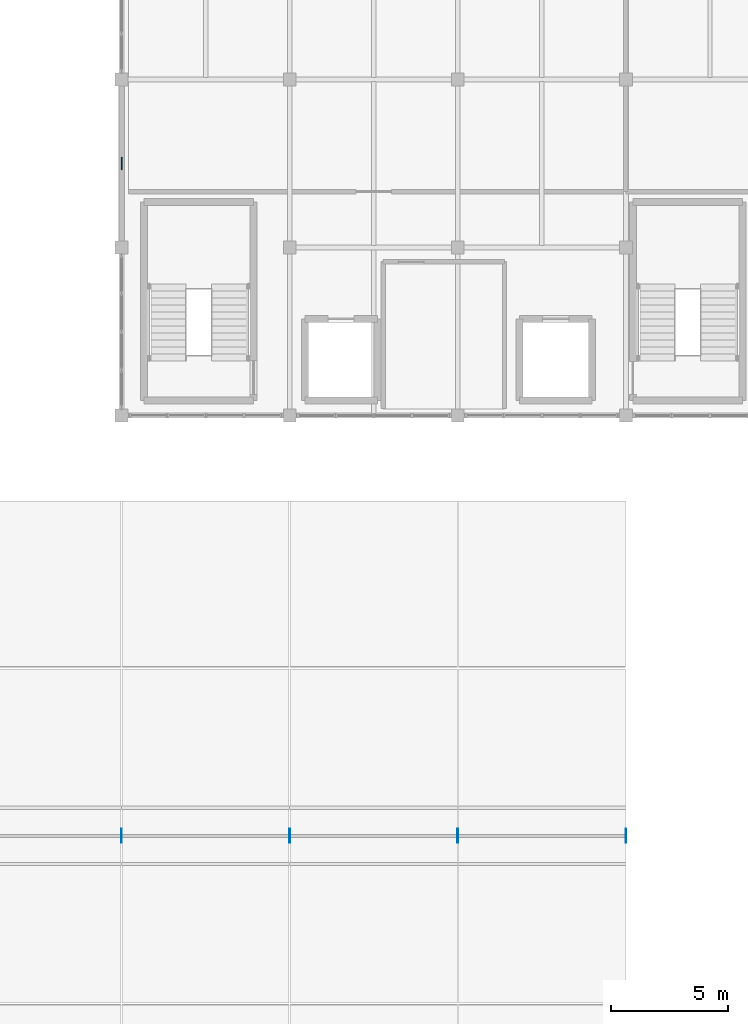
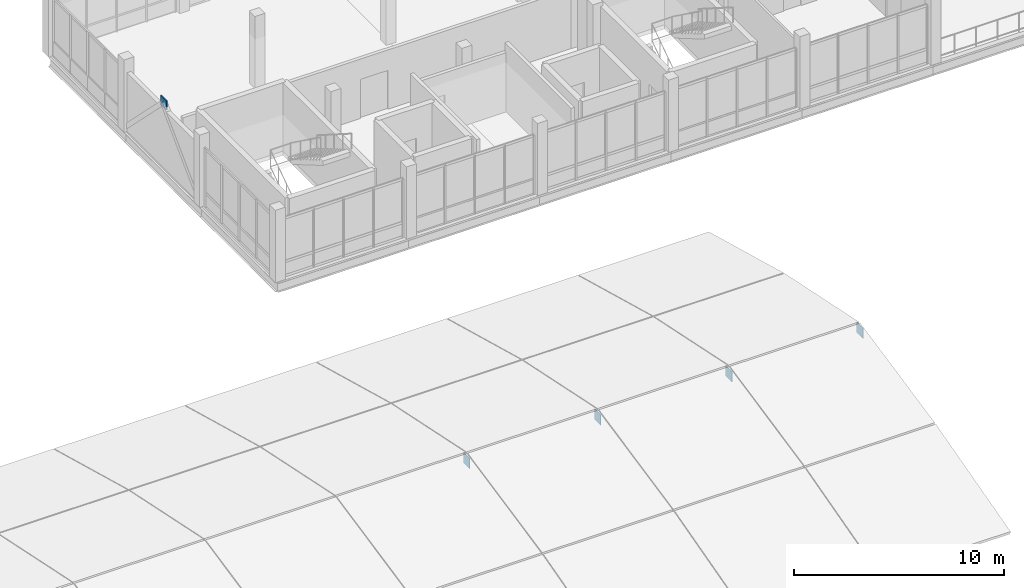
# One storey, part 36 of 47: 5 plates.
"""IFC4 building model written with IfcOpenShell, lengths in metres."""

import ifcopenshell
import ifcopenshell.guid

model = None  # the IFC model being written
_history = None  # IfcOwnerHistory: only IFC2X3 demands one
_inside = {}  # id of a spatial element -> (the spatial element, [elements in it])
_under = {}  # id of a project, library or spatial element -> (it, [spatial elements below it])
_declared = {}  # id of a project -> (the project, [libraries it declares])
_typed = {}  # id of a type object -> (the type object, [elements of that type])
_made_of = {}  # id of a material, layer set ... -> (it, [elements and type objects made of it])


def new_model(schema):
    """Start an empty IFC model of exactly this schema.

    Asked for "IFC4X3", IfcOpenShell would pick the latest addendum, in which some entities
    have other attributes; the version numbers below select the first issue.
    IFC2X3 requires an IfcOwnerHistory on every rooted entity: one is made here for all.
    """
    global model, _history
    if schema == "IFC4X3":
        model = ifcopenshell.file(schema_version=(4, 3, 0, 0))
    else:
        model = ifcopenshell.file(schema=schema)
    _inside.clear()
    _under.clear()
    _declared.clear()
    _typed.clear()
    _made_of.clear()
    _history = None
    if model.schema == "IFC2X3":
        org = make("IfcOrganization", Name="unknown")
        user = make(
            "IfcPersonAndOrganization",
            ThePerson=make("IfcPerson", FamilyName="unknown"),
            TheOrganization=org,
        )
        app = make(
            "IfcApplication",
            ApplicationDeveloper=org,
            Version="unknown",
            ApplicationFullName="unknown",
            ApplicationIdentifier="unknown",
        )
        _history = make(
            "IfcOwnerHistory",
            OwningUser=user,
            OwningApplication=app,
            ChangeAction="ADDED",
            CreationDate=0,
        )
    return model


def make(cls, **values):
    """One entity of the class cls with the attributes given. An attribute that is None is left unset."""
    return model.create_entity(
        cls, **{name: value for name, value in values.items() if value is not None}
    )


def rooted(cls, **values):
    """An entity with a GlobalId (a new one), such as an element, a storey or a relation."""
    return make(cls, GlobalId=ifcopenshell.guid.new(), OwnerHistory=_history, **values)


def si_unit(unit_type, name, prefix=None):
    """IfcSIUnit, for example si_unit("LENGTHUNIT", "METRE", prefix="MILLI")."""
    return make("IfcSIUnit", UnitType=unit_type, Prefix=prefix, Name=name)


def assignment(units):
    """IfcUnitAssignment: the units of a project."""
    return None if units is None else make("IfcUnitAssignment", Units=units)


def point(xyz):
    """IfcCartesianPoint."""
    return None if xyz is None else make("IfcCartesianPoint", Coordinates=xyz)


def direction(xyz):
    """IfcDirection."""
    return None if xyz is None else make("IfcDirection", DirectionRatios=xyz)


def frame(location, z_axis=None, x_axis=None):
    """IfcAxis2Placement3D, a coordinate frame: its origin and axes. An axis left out is left unset."""
    return make(
        "IfcAxis2Placement3D",
        Location=point(location),
        Axis=direction(z_axis),
        RefDirection=direction(x_axis),
    )


def frame_2d(location, x_axis=None):
    """IfcAxis2Placement2D, a coordinate frame in the plane: its origin and x axis."""
    return make(
        "IfcAxis2Placement2D", Location=point(location), RefDirection=direction(x_axis)
    )


def origin():
    """The frame at (0, 0, 0) with its axes left unset."""
    return frame((0.0, 0.0, 0.0))


def origin_2d():
    """The frame at (0, 0) in the plane with its x axis left unset."""
    return frame_2d((0.0, 0.0))


def place(relative_to, where):
    """IfcLocalPlacement: puts the frame where relative to a parent placement (None: the world)."""
    return make(
        "IfcLocalPlacement", PlacementRelTo=relative_to, RelativePlacement=where
    )


def context(
    kind, dimensions, precision=None, world=None, true_north=None, identifier=None
):
    """IfcGeometricRepresentationContext, for example the 3D "Model" context."""
    return make(
        "IfcGeometricRepresentationContext",
        ContextIdentifier=identifier,
        ContextType=kind,
        CoordinateSpaceDimension=dimensions,
        Precision=precision,
        WorldCoordinateSystem=world,
        TrueNorth=true_north,
    )


def subcontext(parent, identifier, kind, view, scale=None):
    """IfcGeometricRepresentationSubContext, for example "Body" below "Model"."""
    return make(
        "IfcGeometricRepresentationSubContext",
        ContextIdentifier=identifier,
        ContextType=kind,
        ParentContext=parent,
        TargetScale=scale,
        TargetView=view,
    )


def project(units=None, contexts=None):
    """IfcProject with its units and contexts."""
    return rooted(
        "IfcProject",
        Name="project",
        RepresentationContexts=contexts,
        UnitsInContext=assignment(units),
    )


def spatial(cls, under=None, at=None, **own):
    """A site, building, storey or space (cls), placed at a placement, below another one or the project."""
    s = rooted(cls, ObjectPlacement=at, **own)
    if under is not None:
        _under.setdefault(under.id(), (under, []))[1].append(s)
    return s


def profile(cls, at=None, kind="AREA", **sizes):
    """A parametric profile (cls). Its sizes go by their IFC names, for example OverallWidth=200.0."""
    return make(cls, ProfileType=kind, Position=at, **sizes)


def rectangle(**sizes):
    """IfcRectangleProfileDef."""
    return profile("IfcRectangleProfileDef", **sizes)


def extrude(swept, where, along, depth):
    """IfcExtrudedAreaSolid: the profile swept, set in the frame where, extruded along a direction by depth."""
    return make(
        "IfcExtrudedAreaSolid",
        SweptArea=swept,
        Position=where,
        ExtrudedDirection=direction(along),
        Depth=depth,
    )


def shape(context_of_items, identifier, shape_type, items):
    """IfcShapeRepresentation: the items that make up one representation, for example the "Body"."""
    return make(
        "IfcShapeRepresentation",
        ContextOfItems=context_of_items,
        RepresentationIdentifier=identifier,
        RepresentationType=shape_type,
        Items=items,
    )


def material(Name=None, Category=None):
    """IfcMaterial."""
    return make("IfcMaterial", Name=Name, Category=Category)


def layer(
    of_material, thickness, ventilated=None, Name=None, Category=None, Priority=None
):
    """IfcMaterialLayer: one layer of a wall or slab, of a material (None: an air gap)."""
    return make(
        "IfcMaterialLayer",
        Material=of_material,
        LayerThickness=thickness,
        IsVentilated=ventilated,
        Name=Name,
        Category=Category,
        Priority=Priority,
    )


def layer_set(layers, Name=None):
    """IfcMaterialLayerSet."""
    return make("IfcMaterialLayerSet", MaterialLayers=layers, LayerSetName=Name)


def made_of(thing, what):
    """Note that an element or type object is made of a material, layer set ...; save() writes the relation."""
    if what is not None:
        _made_of.setdefault(what.id(), (what, []))[1].append(thing)
    return thing


def type_object(cls, material=None, **own):
    """A type object (cls), such as IfcWallType, which elements share."""
    return made_of(rooted(cls, **own), material)


def element(
    cls,
    number,
    at=None,
    inside=None,
    cuts=None,
    type_object=None,
    material=None,
    context=None,
    identifier="Body",
    shape_type=None,
    held_by="IfcProductDefinitionShape",
    body=None,
    shapes=None,
    **own,
):
    """One element of the class cls, such as IfcWall. Its Tag is "e" and its number.

    at: its placement. inside: the storey or other place that contains it. cuts: it is an
    opening in that element (IfcRelVoidsElement). A single representation is given by context,
    identifier, shape_type and body (its items); several are given by shapes. held_by: the class
    of the entity that holds the representations. save() writes the other relations.
    """
    e = rooted(cls, Tag="e%d" % number, ObjectPlacement=at, **own)
    if body is not None:
        shapes = [shape(context, identifier, shape_type, body)]
    if shapes is not None:
        e.Representation = make(held_by, Representations=shapes)
    if inside is not None:
        _inside.setdefault(inside.id(), (inside, []))[1].append(e)
    if cuts is not None:
        rooted(
            "IfcRelVoidsElement", RelatingBuildingElement=cuts, RelatedOpeningElement=e
        )
    if type_object is not None:
        _typed.setdefault(type_object.id(), (type_object, []))[1].append(e)
    return made_of(e, material)


def aggregate(whole, parts):
    """IfcRelAggregates: a whole, such as a stair, and the parts it consists of."""
    return rooted("IfcRelAggregates", RelatingObject=whole, RelatedObjects=parts)


def save(model, path):
    """Write the relations noted so far, then the file.

    IfcRelAggregates (storeys below a building ...), IfcRelContainedInSpatialStructure (elements
    in a storey), IfcRelDefinesByType, IfcRelAssociatesMaterial and IfcRelDeclares: one each for
    every whole, place, type object, material and project.
    """
    for whole, parts in _under.values():
        aggregate(whole, parts)
    for where, things in _inside.values():
        rooted(
            "IfcRelContainedInSpatialStructure",
            RelatedElements=things,
            RelatingStructure=where,
        )
    for kind, things in _typed.values():
        rooted("IfcRelDefinesByType", RelatedObjects=things, RelatingType=kind)
    for what, things in _made_of.values():
        rooted("IfcRelAssociatesMaterial", RelatedObjects=things, RelatingMaterial=what)
    for by, libraries in _declared.values():
        rooted("IfcRelDeclares", RelatingContext=by, RelatedDefinitions=libraries)
    model.write(path)


model = new_model("IFC4")

# Units and contexts
model_context = context("Model", 3, precision=1e-05, world=origin(), true_north=direction((0.0, 1.0)))
body_context = subcontext(model_context, "Body", "Model", "MODEL_VIEW")
ifc_project = project(units=[si_unit("LENGTHUNIT", "METRE"), si_unit("AREAUNIT", "SQUARE_METRE"), si_unit("VOLUMEUNIT", "CUBIC_METRE"), si_unit("PLANEANGLEUNIT", "RADIAN"), si_unit("MASSUNIT", "GRAM", prefix="KILO")], contexts=[model_context])

# Site, building, storey
site_placement = place(None, origin())
site = spatial("IfcSite", under=ifc_project, at=site_placement, CompositionType="ELEMENT")
building_placement = place(site_placement, origin())
building = spatial("IfcBuilding", under=site, at=building_placement, Name="Yarey Park Central Fire Station", CompositionType="ELEMENT")
storey_placement = place(building_placement, frame((0.0, 0.0, 18.0)))
storey = spatial("IfcBuildingStorey", under=building, at=storey_placement, Name="L05", CompositionType="ELEMENT", Elevation=18.0)

# Plates
ifc_material = material(Name="Steel ASTM A572 Gr. 50", Category="steel")
ifc_layer_1 = layer(ifc_material, 0.030029296875)
ifc_layer_set_1 = layer_set([ifc_layer_1], Name="Steel ASTM A572 Gr. 50")
plate_type_1 = type_object("IfcPlateType", Name="STR_PLT_NODE1", PredefinedType="USERDEFINED", material=ifc_layer_set_1)
for number, where, z_axis, x_axis, name in (
    (1, (115.199951171875, 75.60009765625, 0.035888671875), (0.0, 0.0, 1.0), (1.0, 0.0, 0.0), "NODE_PLT_ART_085"),
    (2, (122.39990234375, 75.60009765625, 0.035888671875), (0.0, 0.0, 1.0), (1.0, 0.0, 0.0), "NODE_PLT_ART_090"),
    (3, (129.60009765625, 75.60009765625, 0.035888671875), (0.0, 0.0, 1.0), (1.0, 0.0, 0.0), "NODE_PLT_ART_095"),
    (4, (136.800048828125, 75.60009765625, 0.035888671875), (0.0, 0.0, 1.0), (1.0, 0.0, 0.0), "NODE_PLT_ART_100"),
):
    element("IfcPlate", number, at=place(storey_placement, frame(where, z_axis=z_axis, x_axis=x_axis)), inside=storey, type_object=plate_type_1, Name=name, ObjectType="GUSSET_PLATE", PredefinedType="USERDEFINED", context=body_context, shape_type="SweptSolid", body=[
        extrude(rectangle(XDim=0.030029296875, YDim=0.60009765625, at=origin_2d()), origin(), (0.0, 0.0, 1.0), 0.60009765625),
    ])
ifc_layer_2 = layer(ifc_material, 0.052001953125)
ifc_layer_set_2 = layer_set([ifc_layer_2], Name="Steel ASTM A572 Gr. 50")
plate_type_2 = type_object("IfcPlateType", Name="STR_PLT_NODE3", PredefinedType="USERDEFINED", material=ifc_layer_set_2)
plate_placement = place(storey_placement, frame((115.199951171875, 104.39990234375, 3.375), z_axis=(0.0, 0.0, 1.0), x_axis=(1.0, 0.0, 0.0)))
element("IfcPlate", 5, at=plate_placement, inside=storey, type_object=plate_type_2, Name="NODE_PLT_V4_L05", ObjectType="GUSSET_PLATE", PredefinedType="USERDEFINED", context=body_context, shape_type="SweptSolid", body=[
    extrude(rectangle(XDim=0.052001953125, YDim=0.550048828125, at=origin_2d()), origin(), (0.0, 0.0, 1.0), 0.550048828125),
])

save(model, "model.ifc")
